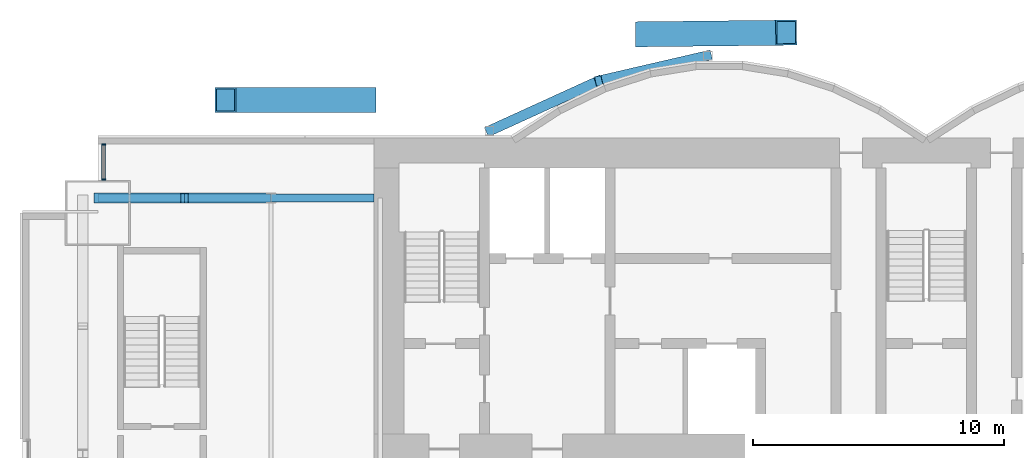
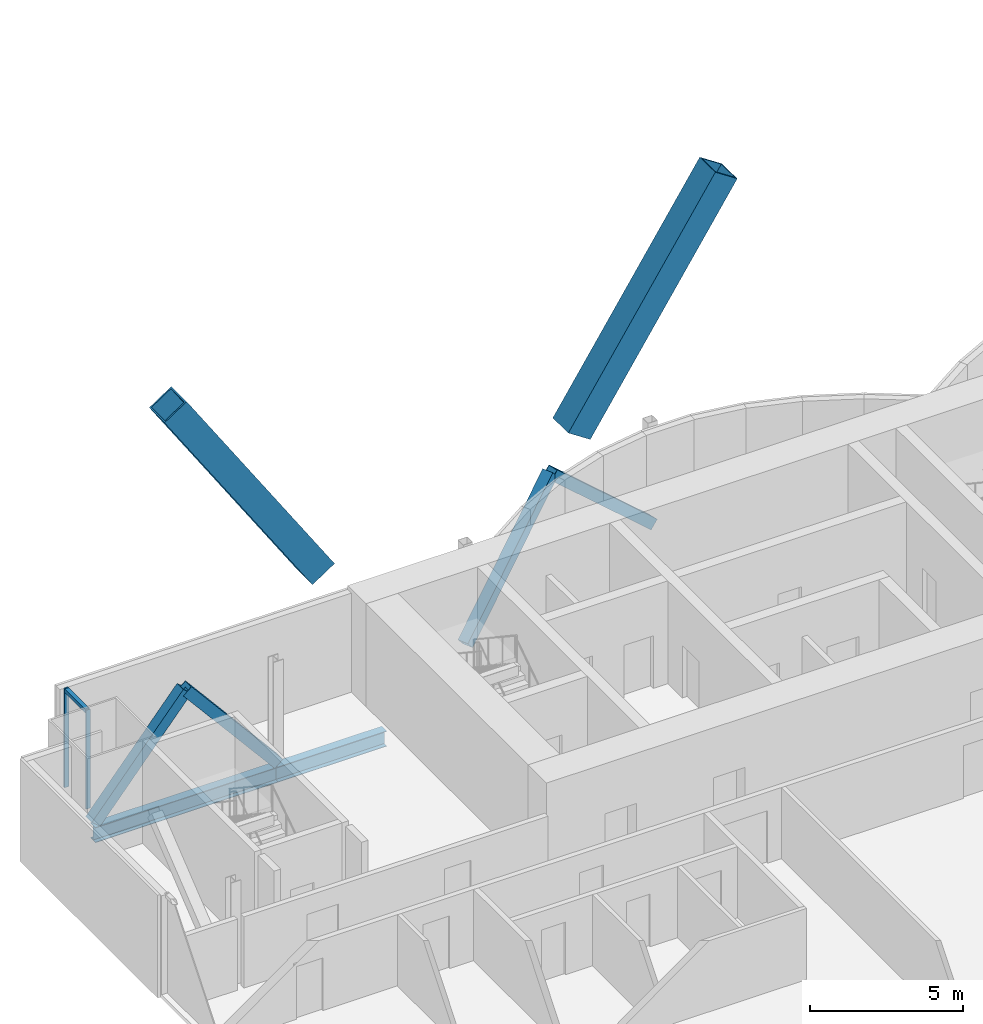
# One storey, part 10 of 20: 9 members, 2 beams, 1 element without a shape of its own.
"""IFC4 building model written with IfcOpenShell, lengths in metres."""

import ifcopenshell
import ifcopenshell.guid

model = None  # the IFC model being written
_history = None  # IfcOwnerHistory: only IFC2X3 demands one
_inside = {}  # id of a spatial element -> (the spatial element, [elements in it])
_under = {}  # id of a project, library or spatial element -> (it, [spatial elements below it])
_declared = {}  # id of a project -> (the project, [libraries it declares])
_typed = {}  # id of a type object -> (the type object, [elements of that type])
_made_of = {}  # id of a material, layer set ... -> (it, [elements and type objects made of it])


def new_model(schema):
    """Start an empty IFC model of exactly this schema.

    Asked for "IFC4X3", IfcOpenShell would pick the latest addendum, in which some entities
    have other attributes; the version numbers below select the first issue.
    IFC2X3 requires an IfcOwnerHistory on every rooted entity: one is made here for all.
    """
    global model, _history
    if schema == "IFC4X3":
        model = ifcopenshell.file(schema_version=(4, 3, 0, 0))
    else:
        model = ifcopenshell.file(schema=schema)
    _inside.clear()
    _under.clear()
    _declared.clear()
    _typed.clear()
    _made_of.clear()
    _history = None
    if model.schema == "IFC2X3":
        org = make("IfcOrganization", Name="unknown")
        user = make(
            "IfcPersonAndOrganization",
            ThePerson=make("IfcPerson", FamilyName="unknown"),
            TheOrganization=org,
        )
        app = make(
            "IfcApplication",
            ApplicationDeveloper=org,
            Version="unknown",
            ApplicationFullName="unknown",
            ApplicationIdentifier="unknown",
        )
        _history = make(
            "IfcOwnerHistory",
            OwningUser=user,
            OwningApplication=app,
            ChangeAction="ADDED",
            CreationDate=0,
        )
    return model


def make(cls, **values):
    """One entity of the class cls with the attributes given. An attribute that is None is left unset."""
    return model.create_entity(
        cls, **{name: value for name, value in values.items() if value is not None}
    )


def rooted(cls, **values):
    """An entity with a GlobalId (a new one), such as an element, a storey or a relation."""
    return make(cls, GlobalId=ifcopenshell.guid.new(), OwnerHistory=_history, **values)


def si_unit(unit_type, name, prefix=None):
    """IfcSIUnit, for example si_unit("LENGTHUNIT", "METRE", prefix="MILLI")."""
    return make("IfcSIUnit", UnitType=unit_type, Prefix=prefix, Name=name)


def assignment(units):
    """IfcUnitAssignment: the units of a project."""
    return None if units is None else make("IfcUnitAssignment", Units=units)


def point(xyz):
    """IfcCartesianPoint."""
    return None if xyz is None else make("IfcCartesianPoint", Coordinates=xyz)


def direction(xyz):
    """IfcDirection."""
    return None if xyz is None else make("IfcDirection", DirectionRatios=xyz)


def frame(location, z_axis=None, x_axis=None):
    """IfcAxis2Placement3D, a coordinate frame: its origin and axes. An axis left out is left unset."""
    return make(
        "IfcAxis2Placement3D",
        Location=point(location),
        Axis=direction(z_axis),
        RefDirection=direction(x_axis),
    )


def frame_2d(location, x_axis=None):
    """IfcAxis2Placement2D, a coordinate frame in the plane: its origin and x axis."""
    return make(
        "IfcAxis2Placement2D", Location=point(location), RefDirection=direction(x_axis)
    )


def origin():
    """The frame at (0, 0, 0) with its axes left unset."""
    return frame((0.0, 0.0, 0.0))


def origin_2d():
    """The frame at (0, 0) in the plane with its x axis left unset."""
    return frame_2d((0.0, 0.0))


def place(relative_to, where):
    """IfcLocalPlacement: puts the frame where relative to a parent placement (None: the world)."""
    return make(
        "IfcLocalPlacement", PlacementRelTo=relative_to, RelativePlacement=where
    )


def context(
    kind, dimensions, precision=None, world=None, true_north=None, identifier=None
):
    """IfcGeometricRepresentationContext, for example the 3D "Model" context."""
    return make(
        "IfcGeometricRepresentationContext",
        ContextIdentifier=identifier,
        ContextType=kind,
        CoordinateSpaceDimension=dimensions,
        Precision=precision,
        WorldCoordinateSystem=world,
        TrueNorth=true_north,
    )


def subcontext(parent, identifier, kind, view, scale=None):
    """IfcGeometricRepresentationSubContext, for example "Body" below "Model"."""
    return make(
        "IfcGeometricRepresentationSubContext",
        ContextIdentifier=identifier,
        ContextType=kind,
        ParentContext=parent,
        TargetScale=scale,
        TargetView=view,
    )


def project(units=None, contexts=None):
    """IfcProject with its units and contexts."""
    return rooted(
        "IfcProject",
        Name="project",
        RepresentationContexts=contexts,
        UnitsInContext=assignment(units),
    )


def spatial(cls, under=None, at=None, **own):
    """A site, building, storey or space (cls), placed at a placement, below another one or the project."""
    s = rooted(cls, ObjectPlacement=at, **own)
    if under is not None:
        _under.setdefault(under.id(), (under, []))[1].append(s)
    return s


def profile(cls, at=None, kind="AREA", **sizes):
    """A parametric profile (cls). Its sizes go by their IFC names, for example OverallWidth=200.0."""
    return make(cls, ProfileType=kind, Position=at, **sizes)


def rectangle(**sizes):
    """IfcRectangleProfileDef."""
    return profile("IfcRectangleProfileDef", **sizes)


def hollow_rectangle(**sizes):
    """IfcRectangleHollowProfileDef."""
    return profile("IfcRectangleHollowProfileDef", **sizes)


def i_section(**sizes):
    """IfcIShapeProfileDef."""
    return profile("IfcIShapeProfileDef", **sizes)


def extrude(swept, where, along, depth):
    """IfcExtrudedAreaSolid: the profile swept, set in the frame where, extruded along a direction by depth."""
    return make(
        "IfcExtrudedAreaSolid",
        SweptArea=swept,
        Position=where,
        ExtrudedDirection=direction(along),
        Depth=depth,
    )


def shape(context_of_items, identifier, shape_type, items):
    """IfcShapeRepresentation: the items that make up one representation, for example the "Body"."""
    return make(
        "IfcShapeRepresentation",
        ContextOfItems=context_of_items,
        RepresentationIdentifier=identifier,
        RepresentationType=shape_type,
        Items=items,
    )


def material(Name=None, Category=None):
    """IfcMaterial."""
    return make("IfcMaterial", Name=Name, Category=Category)


def material_profile(
    of_material, cross_section, Name=None, Category=None, Priority=None
):
    """IfcMaterialProfile: a cross section and its material."""
    return make(
        "IfcMaterialProfile",
        Name=Name,
        Material=of_material,
        Profile=cross_section,
        Priority=Priority,
        Category=Category,
    )


def profile_set(profiles, Name=None, composite=None):
    """IfcMaterialProfileSet."""
    return make(
        "IfcMaterialProfileSet",
        Name=Name,
        MaterialProfiles=profiles,
        CompositeProfile=composite,
    )


def made_of(thing, what):
    """Note that an element or type object is made of a material, layer set ...; save() writes the relation."""
    if what is not None:
        _made_of.setdefault(what.id(), (what, []))[1].append(thing)
    return thing


def type_object(cls, material=None, **own):
    """A type object (cls), such as IfcWallType, which elements share."""
    return made_of(rooted(cls, **own), material)


def element(
    cls,
    number,
    at=None,
    inside=None,
    cuts=None,
    type_object=None,
    material=None,
    context=None,
    identifier="Body",
    shape_type=None,
    held_by="IfcProductDefinitionShape",
    body=None,
    shapes=None,
    **own,
):
    """One element of the class cls, such as IfcWall. Its Tag is "e" and its number.

    at: its placement. inside: the storey or other place that contains it. cuts: it is an
    opening in that element (IfcRelVoidsElement). A single representation is given by context,
    identifier, shape_type and body (its items); several are given by shapes. held_by: the class
    of the entity that holds the representations. save() writes the other relations.
    """
    e = rooted(cls, Tag="e%d" % number, ObjectPlacement=at, **own)
    if body is not None:
        shapes = [shape(context, identifier, shape_type, body)]
    if shapes is not None:
        e.Representation = make(held_by, Representations=shapes)
    if inside is not None:
        _inside.setdefault(inside.id(), (inside, []))[1].append(e)
    if cuts is not None:
        rooted(
            "IfcRelVoidsElement", RelatingBuildingElement=cuts, RelatedOpeningElement=e
        )
    if type_object is not None:
        _typed.setdefault(type_object.id(), (type_object, []))[1].append(e)
    return made_of(e, material)


def aggregate(whole, parts):
    """IfcRelAggregates: a whole, such as a stair, and the parts it consists of."""
    return rooted("IfcRelAggregates", RelatingObject=whole, RelatedObjects=parts)


def save(model, path):
    """Write the relations noted so far, then the file.

    IfcRelAggregates (storeys below a building ...), IfcRelContainedInSpatialStructure (elements
    in a storey), IfcRelDefinesByType, IfcRelAssociatesMaterial and IfcRelDeclares: one each for
    every whole, place, type object, material and project.
    """
    for whole, parts in _under.values():
        aggregate(whole, parts)
    for where, things in _inside.values():
        rooted(
            "IfcRelContainedInSpatialStructure",
            RelatedElements=things,
            RelatingStructure=where,
        )
    for kind, things in _typed.values():
        rooted("IfcRelDefinesByType", RelatedObjects=things, RelatingType=kind)
    for what, things in _made_of.values():
        rooted("IfcRelAssociatesMaterial", RelatedObjects=things, RelatingMaterial=what)
    for by, libraries in _declared.values():
        rooted("IfcRelDeclares", RelatingContext=by, RelatedDefinitions=libraries)
    model.write(path)


model = new_model("IFC4")

# Units and contexts
model_context = context("Model", 3, precision=1e-05, world=origin(), true_north=direction((0.0, 1.0)))
body_context = subcontext(model_context, "Body", "Model", "MODEL_VIEW")
ifc_project = project(units=[si_unit("LENGTHUNIT", "METRE"), si_unit("AREAUNIT", "SQUARE_METRE"), si_unit("VOLUMEUNIT", "CUBIC_METRE"), si_unit("PLANEANGLEUNIT", "RADIAN"), si_unit("MASSUNIT", "GRAM", prefix="KILO")], contexts=[model_context])

# Site, building, storey
site_placement = place(None, origin())
site = spatial("IfcSite", under=ifc_project, at=site_placement, CompositionType="ELEMENT")
building_placement = place(site_placement, origin())
building = spatial("IfcBuilding", under=site, at=building_placement, Name="Bicima Exchange Tower", CompositionType="ELEMENT")
storey_placement = place(building_placement, frame((0.0, 0.0, 219.60009765625)))
storey = spatial("IfcBuildingStorey", under=building, at=storey_placement, Name="L49", CompositionType="ELEMENT", Elevation=219.60009765625)

# Members
ifc_material_1 = material(Name="Steel ASTM A572 Gr 50", Category="steel")
ifc_material_profile_1 = material_profile(ifc_material_1, hollow_rectangle(XDim=1.0, YDim=1.0, WallThickness=0.06005859375, at=origin_2d()))
ifc_profile_set_1 = profile_set([ifc_material_profile_1], Name="Steel ASTM A572 Gr 50")
member_type_1 = type_object("IfcMemberType", Name="Exo mega brace BOX 1000x1000x60", PredefinedType="BRACE", material=ifc_profile_set_1)
member_1_placement = place(storey_placement, frame((-11.166748046875, 4.125, 4.066650390625), z_axis=(0.552803101452, 0.006091227878, 0.833289642302), x_axis=(-0.011018133066, 0.99993929853, 0.0)))
element("IfcMember", 1, at=member_1_placement, inside=storey, type_object=member_type_1, Name="Exo mega brace rear", PredefinedType="BRACE", context=body_context, shape_type="SweptSolid", body=[
    extrude(hollow_rectangle(XDim=1.0, YDim=1.0, WallThickness=0.06005859375, at=origin_2d()), origin(), (0.0, 0.0, 1.0), 10.100341796875),
])
member_2_placement = place(storey_placement, frame((-22.333251953125, 1.5, 4.066650390625), z_axis=(-0.55281335708, 0.0, 0.833305101529), x_axis=(0.0, -1.0, 0.0)))
element("IfcMember", 2, at=member_2_placement, inside=storey, type_object=member_type_1, Name="Exo mega brace rear", PredefinedType="BRACE", context=body_context, shape_type="SweptSolid", body=[
    extrude(hollow_rectangle(XDim=1.0, YDim=1.0, WallThickness=0.06005859375, at=origin_2d()), origin(), (0.0, 0.0, 1.0), 10.10009765625),
])

# Curtain wall, members
ifc_material_2 = material(Name="Anodised bronze aluminium", Category="aluminium")
curtain_wall_type = type_object("IfcCurtainWallType", Name="Front glass wall", PredefinedType="NOTDEFINED", material=ifc_material_2)
curtain_wall_placement = place(storey_placement, origin())
curtain_wall = element("IfcCurtainWall", 3, at=curtain_wall_placement, inside=storey, type_object=curtain_wall_type, Name="Front glass wall L49 run 1", PredefinedType="NOTDEFINED")
ifc_material_profile_2 = material_profile(ifc_material_2, rectangle(XDim=0.159912109375, YDim=0.06005859375, at=origin_2d()))
ifc_profile_set_2 = profile_set([ifc_material_profile_2], Name="Anodised bronze aluminium")
member_type_2 = type_object("IfcMemberType", Name="Front glass wall mullion 60 x 160", PredefinedType="MULLION", material=ifc_profile_set_2)
member_3_placement = place(storey_placement, frame((-32.77001953125, -0.260009765625, 0.0), z_axis=(0.0, 0.0, 1.0), x_axis=(1.0, 0.0, 0.0)))
member_3 = element("IfcMember", 4, at=member_3_placement, type_object=member_type_2, Name="Front glass wall mullion 1", PredefinedType="MULLION", context=body_context, shape_type="SweptSolid", body=[
    extrude(rectangle(XDim=0.159912109375, YDim=0.06005859375, at=origin_2d()), origin(), (0.0, 0.0, 1.0), 3.949951171875),
])
member_4_placement = place(storey_placement, frame((-32.77001953125, -1.669921875, 0.0), z_axis=(0.0, 0.0, 1.0), x_axis=(1.0, 0.0, 0.0)))
member_4 = element("IfcMember", 5, at=member_4_placement, type_object=member_type_2, Name="Front glass wall mullion 2", PredefinedType="MULLION", context=body_context, shape_type="SweptSolid", body=[
    extrude(rectangle(XDim=0.159912109375, YDim=0.06005859375, at=origin_2d()), origin(), (0.0, 0.0, 1.0), 3.949951171875),
])
ifc_material_profile_3 = material_profile(ifc_material_2, rectangle(XDim=0.159912109375, YDim=0.139892578125, at=origin_2d()))
ifc_profile_set_3 = profile_set([ifc_material_profile_3], Name="Anodised bronze aluminium")
member_type_3 = type_object("IfcMemberType", Name="Front glass wall transom 140 x 160", PredefinedType="USERDEFINED", material=ifc_profile_set_3)
member_5_placement = place(storey_placement, frame((-32.77001953125, -0.2900390625, 3.8798828125), z_axis=(0.0, -1.0, 0.0), x_axis=(1.0, 0.0, 0.0)))
member_5 = element("IfcMember", 6, at=member_5_placement, type_object=member_type_3, Name="Front glass wall transom 1.1", ObjectType="TRANSOM", PredefinedType="USERDEFINED", context=body_context, shape_type="SweptSolid", body=[
    extrude(rectangle(XDim=0.159912109375, YDim=0.139892578125, at=origin_2d()), origin(), (0.0, 0.0, 1.0), 1.349853515625),
])
aggregate(curtain_wall, [member_3, member_4, member_5])

# Members
ifc_material_profile_4 = material_profile(ifc_material_1, hollow_rectangle(XDim=0.406494140625, YDim=0.406494140625, WallThickness=0.0146484375, at=origin_2d()))
ifc_profile_set_4 = profile_set([ifc_material_profile_4], Name="Steel ASTM A572 Gr 50")
member_type_4 = type_object("IfcMemberType", Name="Mega brace HSS16x16x5/8", PredefinedType="BRACE", material=ifc_profile_set_4)
member_6_placement = place(storey_placement, frame((-17.39990234375, 0.278076171875, 0.0), z_axis=(0.690646390594, 0.3150684101, 0.650952732629), x_axis=(-0.415045223819, 0.909800781592, 0.0)))
element("IfcMember", 7, at=member_6_placement, inside=storey, type_object=member_type_4, Name="Mega brace rexo", PredefinedType="BRACE", context=body_context, shape_type="SweptSolid", body=[
    extrude(hollow_rectangle(XDim=0.406494140625, YDim=0.406494140625, WallThickness=0.0146484375, at=origin_2d()), origin(), (0.0, 0.0, 1.0), 6.29833984375),
])
member_7_placement = place(storey_placement, frame((-8.699951171875, 3.26904296875, 0.0), z_axis=(-0.717625168184, -0.166055032463, 0.676342993002), x_axis=(0.225438503722, -0.974257399787, 0.0)))
element("IfcMember", 8, at=member_7_placement, inside=storey, type_object=member_type_4, Name="Mega brace rexo", PredefinedType="BRACE", context=body_context, shape_type="SweptSolid", body=[
    extrude(hollow_rectangle(XDim=0.406494140625, YDim=0.406494140625, WallThickness=0.0146484375, at=origin_2d()), origin(), (0.0, 0.0, 1.0), 6.061767578125),
])
for number, where, z_axis, x_axis, name in (
    (9, (-33.0, -2.39990234375, 0.0), (0.643856488545, 0.0, 0.765146275008), (0.0, 1.0, 0.0), "Mega brace rear"),
    (10, (-26.10009765625, -2.39990234375, 0.0), (-0.643856488545, 0.0, 0.765146275008), (0.0, -1.0, 0.0), "Mega brace rear"),
):
    element("IfcMember", number, at=place(storey_placement, frame(where, z_axis=z_axis, x_axis=x_axis)), inside=storey, type_object=member_type_4, Name=name, PredefinedType="BRACE", context=body_context, shape_type="SweptSolid", body=[
        extrude(hollow_rectangle(XDim=0.406494140625, YDim=0.406494140625, WallThickness=0.0146484375, at=origin_2d()), origin(), (0.0, 0.0, 1.0), 5.358154296875),
    ])

# Beams
ifc_material_3 = material(Name="Steel ASTM A992 Gr 50", Category="steel")
ifc_material_profile_5 = material_profile(ifc_material_3, i_section(OverallWidth=0.3251953125, OverallDepth=0.612060546875, WebThickness=0.0126953125, FlangeThickness=0.01904296875, at=origin_2d()))
ifc_profile_set_5 = profile_set([ifc_material_profile_5], Name="Steel ASTM A992 Gr 50")
beam_type = type_object("IfcBeamType", Name="Rear girder W24x104", PredefinedType="BEAM", material=ifc_profile_set_5)
beam_1_placement = place(storey_placement, frame((-22.0, -2.39990234375, -0.456298828125), z_axis=(-1.0, 0.0, 0.0), x_axis=(0.0, -1.0, 0.0)))
element("IfcBeam", 11, at=beam_1_placement, inside=storey, type_object=beam_type, Name="Rear girder", PredefinedType="BEAM", context=body_context, shape_type="SweptSolid", body=[
    extrude(i_section(OverallWidth=0.3251953125, OverallDepth=0.612060546875, WebThickness=0.0126953125, FlangeThickness=0.01904296875, at=origin_2d()), origin(), (0.0, 0.0, 1.0), 4.10009765625),
])
beam_2_placement = place(storey_placement, frame((-26.10009765625, -2.39990234375, -0.456298828125), z_axis=(-1.0, 0.0, 0.0), x_axis=(0.0, -1.0, 0.0)))
element("IfcBeam", 12, at=beam_2_placement, inside=storey, type_object=beam_type, Name="Rear girder", PredefinedType="BEAM", context=body_context, shape_type="SweptSolid", body=[
    extrude(i_section(OverallWidth=0.3251953125, OverallDepth=0.612060546875, WebThickness=0.0126953125, FlangeThickness=0.01904296875, at=origin_2d()), origin(), (0.0, 0.0, 1.0), 6.89990234375),
])

save(model, "model.ifc")
